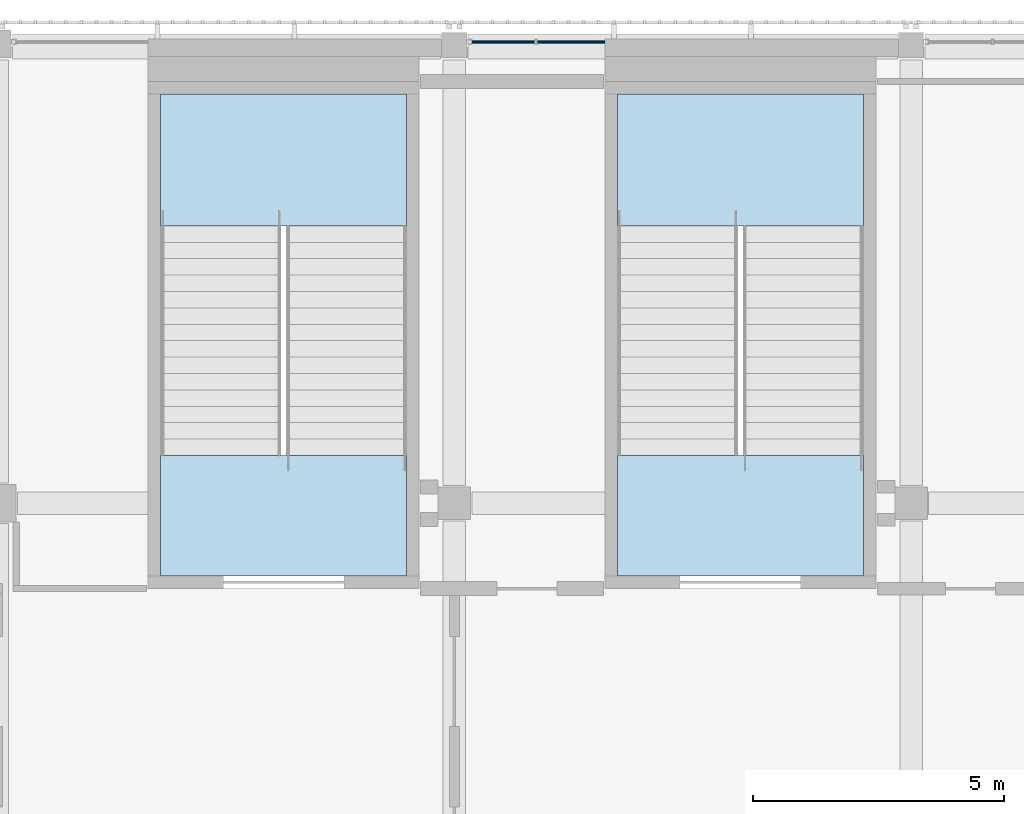
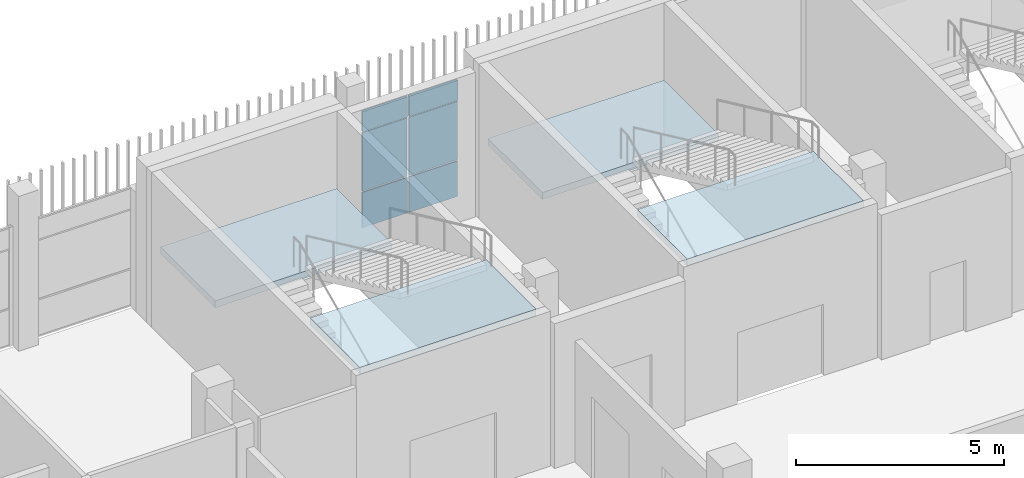
# One storey, part 50 of 104: 6 plates, 4 slabs, 3 elements without a shape of their own.
"""IFC4 building model written with IfcOpenShell, lengths in metres."""

from ifc_helpers import new_model, si_unit, direction, frame, origin, origin_2d, place, context, subcontext, project, spatial, polyline, rectangle, outline, extrude, material, layer, layer_set, type_object, element, aggregate, save


model = new_model("IFC4")

# Units and contexts
model_context = context("Model", 3, precision=1e-05, world=origin(), true_north=direction((0.0, 1.0)))
body_context = subcontext(model_context, "Body", "Model", "MODEL_VIEW")
ifc_project = project(units=[si_unit("LENGTHUNIT", "METRE"), si_unit("AREAUNIT", "SQUARE_METRE"), si_unit("VOLUMEUNIT", "CUBIC_METRE"), si_unit("PLANEANGLEUNIT", "RADIAN"), si_unit("MASSUNIT", "GRAM", prefix="KILO")], contexts=[model_context])

# Site, building, storey
site_placement = place(None, origin())
site = spatial("IfcSite", under=ifc_project, at=site_placement, CompositionType="ELEMENT")
building_placement = place(site_placement, origin())
building = spatial("IfcBuilding", under=site, at=building_placement, Name="Shirokan Park Arena", CompositionType="ELEMENT")
storey_placement = place(building_placement, frame((0.0, 0.0, 10.919921875)))
storey = spatial("IfcBuildingStorey", under=building, at=storey_placement, Name="L02", CompositionType="ELEMENT", Elevation=10.919921875)

# Curtain wall, plates
ifc_material_1 = material(Name="Steel and glass curtain wall", Category="steel")
ifc_layer_1 = layer(ifc_material_1, 0.1201171875)
ifc_layer_set_1 = layer_set([ifc_layer_1], Name="Steel and glass curtain wall 120 mm")
curtain_wall_type = type_object("IfcCurtainWallType", Name="Curtain wall corner block side bay 120", PredefinedType="NOTDEFINED", material=ifc_layer_set_1)
curtain_wall_placement = place(storey_placement, origin())
curtain_wall = element("IfcCurtainWall", 1, at=curtain_wall_placement, inside=storey, type_object=curtain_wall_type, Name="Curtain wall north bay 3 L02", PredefinedType="NOTDEFINED")
ifc_material_2 = material(Name="Aluminium sheet", Category="aluminium")
ifc_layer_2 = layer(ifc_material_2, 0.0029296875, Name="Aluminium sheet")
ifc_material_3 = material(Name="Mineral wool insulation")
ifc_layer_3 = layer(ifc_material_3, 0.053955078125, Name="Mineral wool insulation")
ifc_layer_4 = layer(ifc_material_2, 0.0029296875, Name="Aluminium sheet")
ifc_layer_set_2 = layer_set([ifc_layer_2, ifc_layer_3, ifc_layer_4], Name="Aluminium sheet + Mineral wool insulation")
plate_type_1 = type_object("IfcPlateType", Name="Insulated spandrel panel 60", PredefinedType="CURTAIN_PANEL", material=ifc_layer_set_2)
plate_1_placement = place(storey_placement, frame((120.625, 109.2900390625, 2.8701171875), z_axis=(0.0, 0.0, 1.0), x_axis=(-1.0, 0.0, 0.0)))
plate_1 = element("IfcPlate", 2, at=plate_1_placement, type_object=plate_type_1, Name="CW3 panel 1.3", PredefinedType="CURTAIN_PANEL", context=body_context, shape_type="SweptSolid", body=[
    extrude(rectangle(XDim=1.35009765625, YDim=0.06005859375, at=origin_2d()), origin(), (0.0, 0.0, 1.0), 0.590087890625),
])
plate_2_placement = place(storey_placement, frame((119.27490234375, 109.2900390625, 2.8701171875), z_axis=(0.0, 0.0, 1.0), x_axis=(-1.0, 0.0, 0.0)))
plate_2 = element("IfcPlate", 3, at=plate_2_placement, type_object=plate_type_1, Name="CW3 panel 2.3", PredefinedType="CURTAIN_PANEL", context=body_context, shape_type="SweptSolid", body=[
    extrude(rectangle(XDim=1.25, YDim=0.06005859375, at=origin_2d()), origin(), (0.0, 0.0, 1.0), 0.590087890625),
])
ifc_material_4 = material(Name="Toughened glass", Category="glass")
ifc_layer_5 = layer(ifc_material_4, 0.012939453125, Name="Toughened glass")
ifc_material_5 = material(Name="Interlayer film")
ifc_layer_6 = layer(ifc_material_5, 0.001953125, Name="Interlayer film")
ifc_layer_7 = layer(ifc_material_4, 0.012939453125, Name="Toughened glass")
ifc_layer_set_3 = layer_set([ifc_layer_5, ifc_layer_6, ifc_layer_7], Name="Toughened glass + Interlayer film")
plate_type_2 = type_object("IfcPlateType", Name="Laminated glass panel 28", PredefinedType="CURTAIN_PANEL", material=ifc_layer_set_3)
plate_3_placement = place(storey_placement, frame((120.625, 109.2900390625, 1.1201171875), z_axis=(0.0, 0.0, 1.0), x_axis=(-1.0, 0.0, 0.0)))
plate_3 = element("IfcPlate", 4, at=plate_3_placement, type_object=plate_type_2, Name="CW3 panel 1.2", PredefinedType="CURTAIN_PANEL", context=body_context, shape_type="SweptSolid", body=[
    extrude(rectangle(XDim=1.35009765625, YDim=0.028076171875, at=origin_2d()), origin(), (0.0, 0.0, 1.0), 1.7099609375),
])
plate_4_placement = place(storey_placement, frame((119.27490234375, 109.2900390625, 1.1201171875), z_axis=(0.0, 0.0, 1.0), x_axis=(-1.0, 0.0, 0.0)))
plate_4 = element("IfcPlate", 5, at=plate_4_placement, type_object=plate_type_2, Name="CW3 panel 2.2", PredefinedType="CURTAIN_PANEL", context=body_context, shape_type="SweptSolid", body=[
    extrude(rectangle(XDim=1.25, YDim=0.028076171875, at=origin_2d()), origin(), (0.0, 0.0, 1.0), 1.7099609375),
])
ifc_layer_8 = layer(ifc_material_4, 0.01708984375, Name="Toughened glass")
ifc_layer_9 = layer(ifc_material_5, 0.001953125, Name="Interlayer film")
ifc_layer_10 = layer(ifc_material_4, 0.01708984375, Name="Toughened glass")
ifc_layer_set_4 = layer_set([ifc_layer_8, ifc_layer_9, ifc_layer_10], Name="Toughened glass + Interlayer film")
plate_type_3 = type_object("IfcPlateType", Name="Laminated safety glass panel 36", PredefinedType="CURTAIN_PANEL", material=ifc_layer_set_4)
plate_5_placement = place(storey_placement, frame((120.625, 109.2900390625, 0.0400390625), z_axis=(0.0, 0.0, 1.0), x_axis=(-1.0, 0.0, 0.0)))
plate_5 = element("IfcPlate", 6, at=plate_5_placement, type_object=plate_type_3, Name="CW3 panel 1.1", PredefinedType="CURTAIN_PANEL", context=body_context, shape_type="SweptSolid", body=[
    extrude(rectangle(XDim=1.35009765625, YDim=0.035888671875, at=origin_2d()), origin(), (0.0, 0.0, 1.0), 1.0400390625),
])
plate_6_placement = place(storey_placement, frame((119.27490234375, 109.2900390625, 0.0400390625), z_axis=(0.0, 0.0, 1.0), x_axis=(-1.0, 0.0, 0.0)))
plate_6 = element("IfcPlate", 7, at=plate_6_placement, type_object=plate_type_3, Name="CW3 panel 2.1", PredefinedType="CURTAIN_PANEL", context=body_context, shape_type="SweptSolid", body=[
    extrude(rectangle(XDim=1.25, YDim=0.035888671875, at=origin_2d()), origin(), (0.0, 0.0, 1.0), 1.0400390625),
])
aggregate(curtain_wall, [plate_5, plate_3, plate_1, plate_6, plate_4, plate_2])

# Stair, slabs
ifc_material_6 = material(Name="Concrete C30 precast", Category="concrete")
stair_type = type_object("IfcStairType", Name="Stair 30 risers 152 x 327 2400 wide", PredefinedType="TWO_STRAIGHT_RUN_STAIR", material=ifc_material_6)
stair_1_placement = place(storey_placement, origin())
stair_1 = element("IfcStair", 8, at=stair_1_placement, inside=storey, type_object=stair_type, Name="Exit Stair 3.C L02 to L03", PredefinedType="TWO_STRAIGHT_RUN_STAIR")
ifc_layer_11 = layer(ifc_material_6, 0.199951171875)
ifc_layer_set_5 = layer_set([ifc_layer_11], Name="Concrete C30 precast 200 mm")
slab_type = type_object("IfcSlabType", Name="Stair landing 200", PredefinedType="LANDING", material=ifc_layer_set_5)
slab_1_placement = place(storey_placement, frame((0.0, 0.0, 2.0751953125)))
slab_1 = element("IfcSlab", 9, at=slab_1_placement, type_object=slab_type, Name="ST18.3 landing 1", PredefinedType="LANDING", context=body_context, shape_type="SweptSolid", body=[
    extrude(outline(polyline([(121.550048828125, 105.623779296875), (126.449951171875, 105.623779296875), (126.449951171875, 108.25), (121.550048828125, 108.25), (121.550048828125, 105.623779296875)])), origin(), (0.0, 0.0, 1.0), 0.199951171875),
])
slab_2_placement = place(storey_placement, frame((0.0, 0.0, 4.35009765625)))
slab_2 = element("IfcSlab", 10, at=slab_2_placement, type_object=slab_type, Name="ST18.3 landing 2", PredefinedType="LANDING", context=body_context, shape_type="SweptSolid", body=[
    extrude(outline(polyline([(121.550048828125, 98.64990234375), (126.449951171875, 98.64990234375), (126.449951171875, 101.050048828125), (121.550048828125, 101.050048828125), (121.550048828125, 98.64990234375)])), origin(), (0.0, 0.0, 1.0), 0.199951171875),
])
aggregate(stair_1, [slab_1, slab_2])

stair_2_placement = place(storey_placement, origin())
stair_2 = element("IfcStair", 11, at=stair_2_placement, inside=storey, type_object=stair_type, Name="Exit Stair 3.D L02 to L03", PredefinedType="TWO_STRAIGHT_RUN_STAIR")
slab_3_placement = place(storey_placement, frame((0.0, 0.0, 2.0751953125)))
slab_3 = element("IfcSlab", 12, at=slab_3_placement, type_object=slab_type, Name="ST19.3 landing 1", PredefinedType="LANDING", context=body_context, shape_type="SweptSolid", body=[
    extrude(outline(polyline([(112.449951171875, 105.623779296875), (117.35009765625, 105.623779296875), (117.35009765625, 108.25), (112.449951171875, 108.25), (112.449951171875, 105.623779296875)])), origin(), (0.0, 0.0, 1.0), 0.199951171875),
])
slab_4_placement = place(storey_placement, frame((0.0, 0.0, 4.35009765625)))
slab_4 = element("IfcSlab", 13, at=slab_4_placement, type_object=slab_type, Name="ST19.3 landing 2", PredefinedType="LANDING", context=body_context, shape_type="SweptSolid", body=[
    extrude(outline(polyline([(112.449951171875, 98.64990234375), (117.35009765625, 98.64990234375), (117.35009765625, 101.050048828125), (112.449951171875, 101.050048828125), (112.449951171875, 98.64990234375)])), origin(), (0.0, 0.0, 1.0), 0.199951171875),
])
aggregate(stair_2, [slab_3, slab_4])

save(model, "model.ifc")
